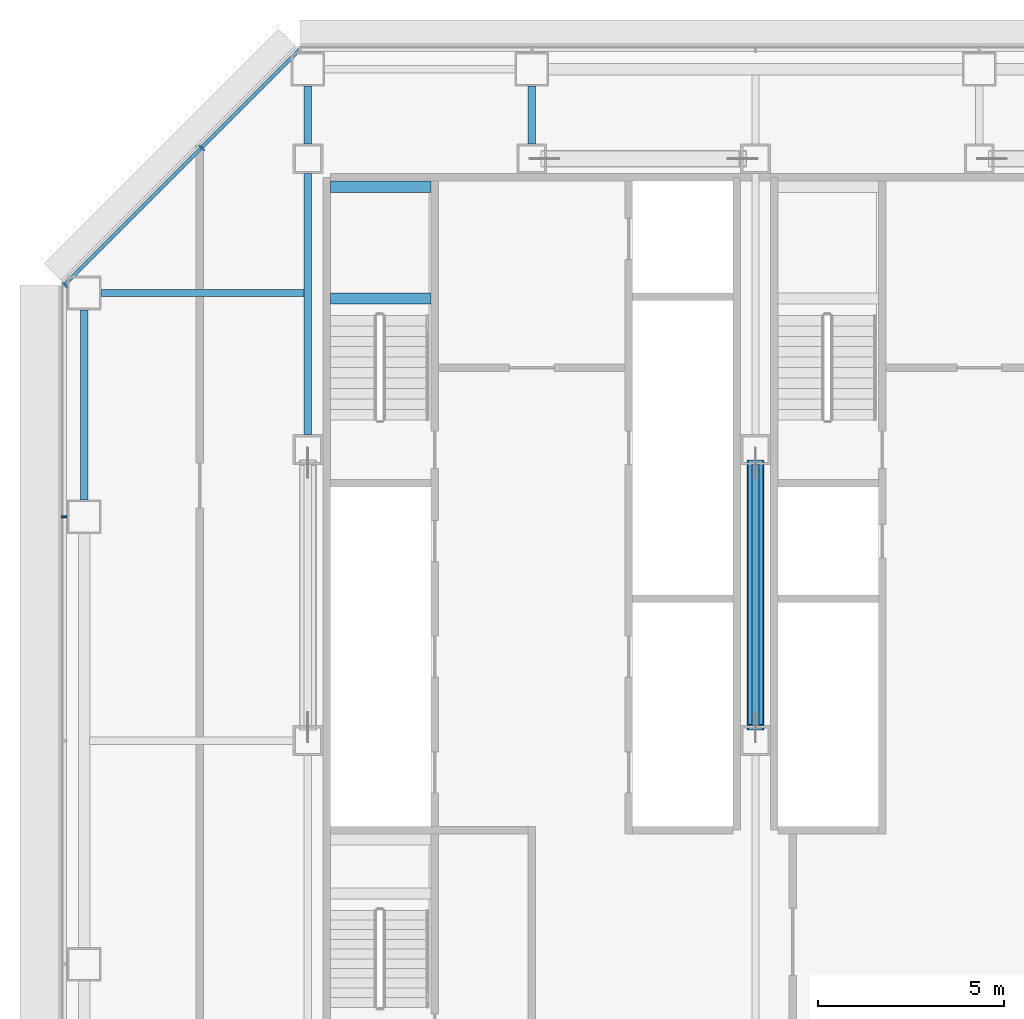
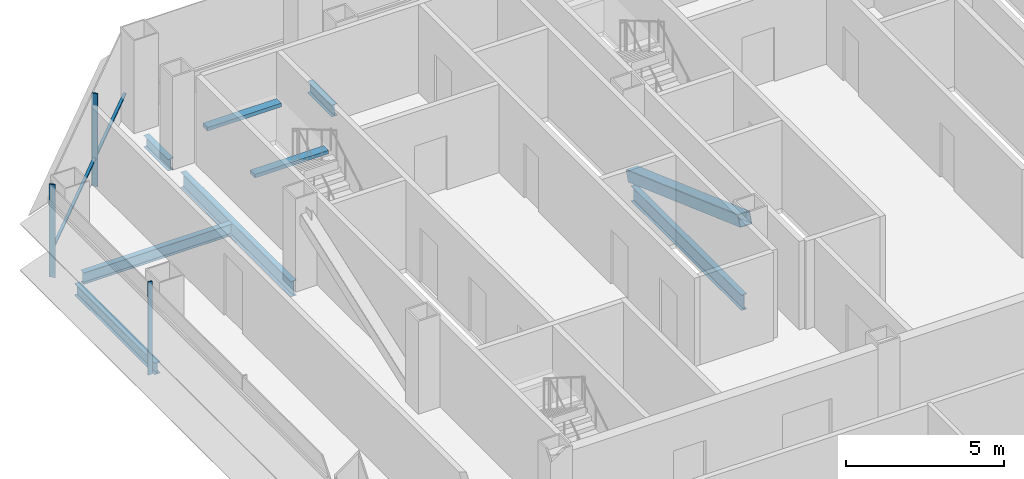
# One storey, part 11 of 27: 8 beams, 5 members, 2 elements without a shape of their own.
"""IFC4 building model written with IfcOpenShell, lengths in metres."""

from ifc_helpers import new_model, si_unit, direction, frame, origin, origin_2d, place, context, subcontext, project, spatial, rectangle, hollow_rectangle, i_section, extrude, material, material_profile, profile_set, type_object, element, aggregate, save


model = new_model("IFC4")

# Units and contexts
model_context = context("Model", 3, precision=1e-05, world=origin(), true_north=direction((0.0, 1.0)))
body_context = subcontext(model_context, "Body", "Model", "MODEL_VIEW")
ifc_project = project(units=[si_unit("LENGTHUNIT", "METRE"), si_unit("AREAUNIT", "SQUARE_METRE"), si_unit("VOLUMEUNIT", "CUBIC_METRE"), si_unit("PLANEANGLEUNIT", "RADIAN"), si_unit("MASSUNIT", "GRAM", prefix="KILO")], contexts=[model_context])

# Site, building, storey
site_placement = place(None, origin())
site = spatial("IfcSite", under=ifc_project, at=site_placement, CompositionType="ELEMENT")
building_placement = place(site_placement, origin())
building = spatial("IfcBuilding", under=site, at=building_placement, Name="Sorahane Residences", CompositionType="ELEMENT")
storey_placement = place(building_placement, frame((0.0, 0.0, 57.0)))
storey = spatial("IfcBuildingStorey", under=building, at=storey_placement, Name="L10", CompositionType="ELEMENT", Elevation=57.0)

# Member
ifc_material_1 = material(Name="Steel Q355B", Category="steel")
ifc_material_profile_1 = material_profile(ifc_material_1, hollow_rectangle(XDim=0.449951171875, YDim=0.449951171875, WallThickness=0.02197265625, InnerFilletRadius=0.010986328125, OuterFilletRadius=0.032958984375, at=origin_2d()), Name="RHS 450x450x22")
ifc_profile_set_1 = profile_set([ifc_material_profile_1], Name="Steel Q355B")
member_type_1 = type_object("IfcMemberType", Name="Core brace RHS 450x450x22 Q355B", PredefinedType="BRACE", material=ifc_profile_set_1)
member_1_placement = place(storey_placement, frame((18.0, 37.44580078125, 0.20849609375), z_axis=(0.0, -0.940886586011, 0.338721762313), x_axis=(1.0, 0.0, 0.0)))
element("IfcMember", 1, at=member_1_placement, inside=storey, type_object=member_type_1, Name="Core brace L10 x18-1", PredefinedType="BRACE", context=body_context, shape_type="SweptSolid", body=[
    extrude(hollow_rectangle(XDim=0.449951171875, YDim=0.449951171875, WallThickness=0.02197265625, InnerFilletRadius=0.010986328125, OuterFilletRadius=0.032958984375, at=origin_2d()), origin(), (0.0, 0.0, 1.0), 7.537109375),
])

# Curtain wall, member
ifc_material_2 = material(Name="Dark low-e glass and black anodised aluminium", Category="aluminium")
curtain_wall_type_1 = type_object("IfcCurtainWallType", Name="Curtain wall CW-1 Typical unitised wall", PredefinedType="NOTDEFINED", material=ifc_material_2)
curtain_wall_1_placement = place(storey_placement, origin())
curtain_wall_1 = element("IfcCurtainWall", 2, at=curtain_wall_1_placement, inside=storey, type_object=curtain_wall_type_1, Name="CW-1 curtain wall L10 W1", PredefinedType="NOTDEFINED")
ifc_material_3 = material(Name="Black anodised aluminium", Category="aluminium")
ifc_material_profile_2 = material_profile(ifc_material_3, rectangle(XDim=0.159912109375, YDim=0.050048828125, at=origin_2d()), Name="Curtain wall mullion CW-1 black anodised aluminium 50x160")
ifc_profile_set_2 = profile_set([ifc_material_profile_2], Name="Black anodised aluminium")
member_type_2 = type_object("IfcMemberType", Name="Curtain wall mullion CW-1 black anodised aluminium 50x160", PredefinedType="MULLION", material=ifc_profile_set_2)
member_2_placement = place(storey_placement, frame((-0.5400390625, 36.0, -0.179931640625), z_axis=(0.0, 0.0, 1.0), x_axis=(-1.0, 0.0, 0.0)))
member_2 = element("IfcMember", 3, at=member_2_placement, type_object=member_type_2, Name="CW-1 mullion L10 W1.2", PredefinedType="MULLION", context=body_context, shape_type="SweptSolid", body=[
    extrude(rectangle(XDim=0.159912109375, YDim=0.050048828125, at=origin_2d()), origin(), (0.0, 0.0, 1.0), 3.599853515625),
])
aggregate(curtain_wall_1, [member_2])

# Curtain wall, members
ifc_material_4 = material(Name="Dark low-e glass and black anodised aluminium", Category="aluminium")
curtain_wall_type_2 = type_object("IfcCurtainWallType", Name="Curtain wall CW-2 Chamfer unitised wall", PredefinedType="NOTDEFINED", material=ifc_material_4)
curtain_wall_2_placement = place(storey_placement, origin())
curtain_wall_2 = element("IfcCurtainWall", 4, at=curtain_wall_2_placement, inside=storey, type_object=curtain_wall_type_2, Name="CW-2 curtain wall L10 NW1", PredefinedType="NOTDEFINED")
ifc_material_5 = material(Name="Black anodised aluminium", Category="aluminium")
ifc_material_profile_3 = material_profile(ifc_material_5, rectangle(XDim=0.199951171875, YDim=0.050048828125, at=origin_2d()), Name="Curtain wall mullion CW-2 black anodised aluminium 50x200")
ifc_profile_set_3 = profile_set([ifc_material_profile_3], Name="Black anodised aluminium")
member_type_3 = type_object("IfcMemberType", Name="Curtain wall mullion CW-2 black anodised aluminium 50x200", PredefinedType="MULLION", material=ifc_profile_set_3)
member_3_placement = place(storey_placement, frame((3.15673828125, 45.89208984375, -0.179931640625), z_axis=(0.0, 0.0, 1.0), x_axis=(-0.707106781187, 0.707106781187, 0.0)))
member_3 = element("IfcMember", 5, at=member_3_placement, type_object=member_type_3, Name="CW-2 mullion L10 NW1.2", PredefinedType="MULLION", context=body_context, shape_type="SweptSolid", body=[
    extrude(rectangle(XDim=0.199951171875, YDim=0.050048828125, at=origin_2d()), origin(), (0.0, 0.0, 1.0), 3.599853515625),
])
member_4_placement = place(storey_placement, frame((-0.525634765625, 42.209716796875, -0.179931640625), z_axis=(0.0, 0.0, 1.0), x_axis=(-0.707106781187, 0.707106781187, 0.0)))
member_4 = element("IfcMember", 6, at=member_4_placement, type_object=member_type_3, Name="CW-2 mullion L10 NW1.3", PredefinedType="MULLION", context=body_context, shape_type="SweptSolid", body=[
    extrude(rectangle(XDim=0.199951171875, YDim=0.050048828125, at=origin_2d()), origin(), (0.0, 0.0, 1.0), 3.599853515625),
])
ifc_material_6 = material(Name="Black anodised aluminium", Category="aluminium")
ifc_material_profile_4 = material_profile(ifc_material_6, rectangle(XDim=0.10009765625, YDim=0.06005859375, at=origin_2d()), Name="Curtain wall transom CW-2 black anodised aluminium 60x100")
ifc_profile_set_4 = profile_set([ifc_material_profile_4], Name="Black anodised aluminium")
member_type_4 = type_object("IfcMemberType", Name="Curtain wall transom CW-2 black anodised aluminium 60x100", PredefinedType="USERDEFINED", material=ifc_profile_set_4)
member_5_placement = place(storey_placement, frame((5.765625, 48.51513671875, 0.89990234375), z_axis=(-0.707106781187, -0.707106781187, 0.0), x_axis=(0.707106781187, -0.707106781187, 0.0)))
member_5 = element("IfcMember", 7, at=member_5_placement, type_object=member_type_4, Name="CW-2 transom L10 NW1", ObjectType="TRANSOM", PredefinedType="USERDEFINED", context=body_context, shape_type="SweptSolid", body=[
    extrude(rectangle(XDim=0.10009765625, YDim=0.06005859375, at=origin_2d()), origin(), (0.0, 0.0, 1.0), 8.88232421875),
])
aggregate(curtain_wall_2, [member_3, member_4, member_5])

# Beams
ifc_material_7 = material(Name="Concrete C40", Category="concrete")
ifc_material_profile_5 = material_profile(ifc_material_7, rectangle(XDim=0.300048828125, YDim=0.139892578125, at=origin_2d()), Name="300x140")
ifc_profile_set_5 = profile_set([ifc_material_profile_5], Name="Concrete C40")
beam_type_1 = type_object("IfcBeamType", Name="RC landing beam 300 x 140 Concrete C40", PredefinedType="BEAM", material=ifc_profile_set_5)
for number, where, z_axis, x_axis, name in (
    (8, (6.60009765625, 41.85009765625, 1.530029296875), (1.0, 0.0, 0.0), (0.0, 1.0, 0.0), "Landing beam"),
    (9, (6.60009765625, 44.85009765625, 1.530029296875), (1.0, 0.0, 0.0), (0.0, 1.0, 0.0), "Landing beam"),
):
    element("IfcBeam", number, at=place(storey_placement, frame(where, z_axis=z_axis, x_axis=x_axis)), inside=storey, type_object=beam_type_1, Name=name, PredefinedType="BEAM", context=body_context, shape_type="SweptSolid", body=[
        extrude(rectangle(XDim=0.300048828125, YDim=0.139892578125, at=origin_2d()), origin(), (0.0, 0.0, 1.0), 2.699951171875),
    ])
ifc_material_8 = material(Name="Steel Q355B", Category="steel")
ifc_material_profile_6 = material_profile(ifc_material_8, i_section(OverallWidth=0.199951171875, OverallDepth=0.449951171875, WebThickness=0.009033203125, FlangeThickness=0.013916015625, FilletRadius=0.02001953125, at=origin_2d()), Name="HN 450x200x9x14")
ifc_profile_set_6 = profile_set([ifc_material_profile_6], Name="Steel Q355B")
beam_type_2 = type_object("IfcBeamType", Name="Steel floor beam HN 450x200x9x14 Q355B", PredefinedType="BEAM", material=ifc_profile_set_6)
beam_1_placement = place(storey_placement, frame((0.0, 36.449951171875, -0.405029296875), z_axis=(0.0, 1.0, 0.0), x_axis=(-1.0, 0.0, 0.0)))
element("IfcBeam", 10, at=beam_1_placement, inside=storey, type_object=beam_type_2, Name="Beam L10 020", PredefinedType="BEAM", context=body_context, shape_type="SweptSolid", body=[
    extrude(i_section(OverallWidth=0.199951171875, OverallDepth=0.449951171875, WebThickness=0.009033203125, FlangeThickness=0.013916015625, FilletRadius=0.02001953125, at=origin_2d()), origin(), (0.0, 0.0, 1.0), 5.10009765625),
])
for number, where, z_axis, x_axis, name in (
    (11, (6.0, 46.0, -0.405029296875), (0.0, 1.0, 0.0), (-1.0, 0.0, 0.0), "Beam L10 026"),
    (12, (12.0, 46.0, -0.405029296875), (0.0, 1.0, 0.0), (-1.0, 0.0, 0.0), "Beam L10 028"),
):
    element("IfcBeam", number, at=place(storey_placement, frame(where, z_axis=z_axis, x_axis=x_axis)), inside=storey, type_object=beam_type_2, Name=name, PredefinedType="BEAM", context=body_context, shape_type="SweptSolid", body=[
        extrude(i_section(OverallWidth=0.199951171875, OverallDepth=0.449951171875, WebThickness=0.009033203125, FlangeThickness=0.013916015625, FilletRadius=0.02001953125, at=origin_2d()), origin(), (0.0, 0.0, 1.0), 1.550048828125),
    ])
beam_2_placement = place(storey_placement, frame((0.449951171875, 42.0, -0.405029296875), z_axis=(1.0, 0.0, 0.0), x_axis=(0.0, 1.0, 0.0)))
element("IfcBeam", 13, at=beam_2_placement, inside=storey, type_object=beam_type_2, Name="Beam L10 079", PredefinedType="BEAM", context=body_context, shape_type="SweptSolid", body=[
    extrude(i_section(OverallWidth=0.199951171875, OverallDepth=0.449951171875, WebThickness=0.009033203125, FlangeThickness=0.013916015625, FilletRadius=0.02001953125, at=origin_2d()), origin(), (0.0, 0.0, 1.0), 5.449951171875),
])
ifc_material_9 = material(Name="Steel Q355B", Category="steel")
ifc_material_profile_7 = material_profile(ifc_material_9, i_section(OverallWidth=0.199951171875, OverallDepth=0.60009765625, WebThickness=0.010986328125, FlangeThickness=0.01708984375, FilletRadius=0.02392578125, at=origin_2d()), Name="HN 600x200x11x17")
ifc_profile_set_7 = profile_set([ifc_material_profile_7], Name="Steel Q355B")
beam_type_3 = type_object("IfcBeamType", Name="Steel floor beam HN 600x200x11x17 Q355B", PredefinedType="BEAM", material=ifc_profile_set_7)
for number, where, z_axis, x_axis, name in (
    (14, (6.0, 38.199951171875, -0.47998046875), (0.0, 1.0, 0.0), (-1.0, 0.0, 0.0), "Beam L10 025"),
    (15, (18.0, 30.39990234375, -0.47998046875), (0.0, 1.0, 0.0), (-1.0, 0.0, 0.0), "Beam L10 032"),
):
    element("IfcBeam", number, at=place(storey_placement, frame(where, z_axis=z_axis, x_axis=x_axis)), inside=storey, type_object=beam_type_3, Name=name, PredefinedType="BEAM", context=body_context, shape_type="SweptSolid", body=[
        extrude(i_section(OverallWidth=0.199951171875, OverallDepth=0.60009765625, WebThickness=0.010986328125, FlangeThickness=0.01708984375, FilletRadius=0.02392578125, at=origin_2d()), origin(), (0.0, 0.0, 1.0), 7.0),
    ])

save(model, "model.ifc")
